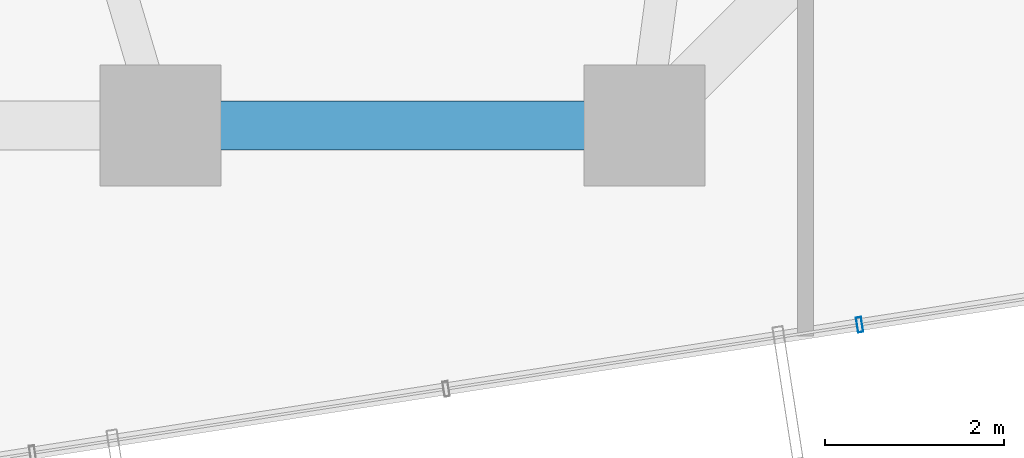
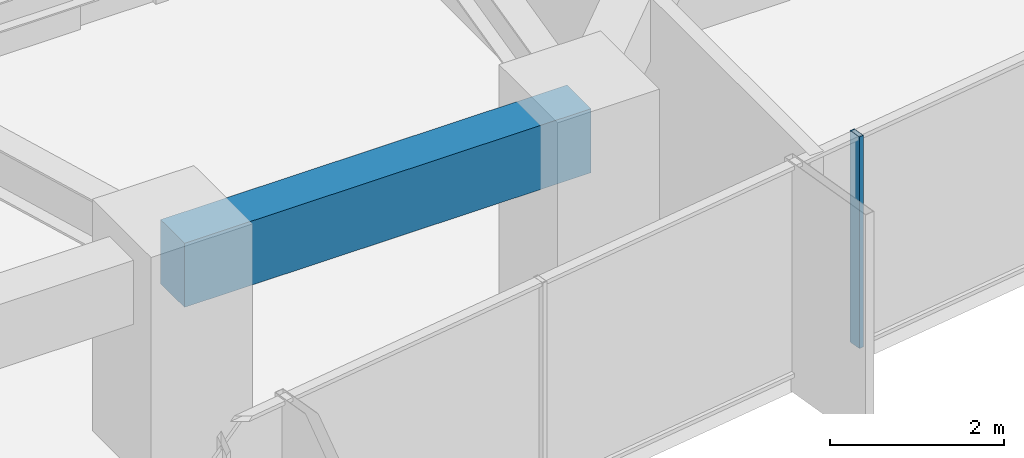
# One storey, part 8 of 37: 1 beam, 1 member, 1 element without a shape of its own.
"""IFC4 building model written with IfcOpenShell, lengths in metres."""

from ifc_helpers import new_model, si_unit, direction, frame, origin, origin_2d, place, context, subcontext, project, spatial, rectangle, hollow_rectangle, extrude, source, transform, mapped, material, layer, layer_set, material_profile, profile_set, type_object, element, aggregate, save


model = new_model("IFC4")

# Units and contexts
model_context = context("Model", 3, precision=1e-05, world=origin(), true_north=direction((0.0, 1.0)))
body_context = subcontext(model_context, "Body", "Model", "MODEL_VIEW")
ifc_project = project(units=[si_unit("LENGTHUNIT", "METRE"), si_unit("AREAUNIT", "SQUARE_METRE"), si_unit("VOLUMEUNIT", "CUBIC_METRE"), si_unit("PLANEANGLEUNIT", "RADIAN"), si_unit("MASSUNIT", "GRAM", prefix="KILO")], contexts=[model_context])

# Site, building, storey
site_placement = place(None, origin())
site = spatial("IfcSite", under=ifc_project, at=site_placement, CompositionType="ELEMENT")
building_placement = place(site_placement, origin())
building = spatial("IfcBuilding", under=site, at=building_placement, Name="Veraguas Prism Commons", CompositionType="ELEMENT")
storey_placement = place(building_placement, frame((0.0, 0.0, 53.300048828125)))
storey = spatial("IfcBuildingStorey", under=building, at=storey_placement, Name="L14", CompositionType="ELEMENT", Elevation=53.300048828125)

# Beam
ifc_material_1 = material(Name="Concrete C50/60", Category="concrete")
ifc_material_profile_1 = material_profile(ifc_material_1, rectangle(XDim=0.550048828125, YDim=0.89990234375, at=origin_2d()), Name="RC550X900")
ifc_profile_set_1 = profile_set([ifc_material_profile_1], Name="Concrete C50/60")
beam_type = type_object("IfcBeamType", Name="Perimeter Spandrel Lower RC 550x900", PredefinedType="SPANDREL", material=ifc_profile_set_1)
beam_placement = place(storey_placement, frame((24.0, 6.39990234375, 2.52001953125), z_axis=(1.0, 0.0, 0.0), x_axis=(0.0, 1.0, 0.0)))
element("IfcBeam", 1, at=beam_placement, inside=storey, type_object=beam_type, Name="Perimeter Spandrel Beam L14-SP11", PredefinedType="SPANDREL", context=body_context, shape_type="SweptSolid", body=[
    extrude(rectangle(XDim=0.550048828125, YDim=0.89990234375, at=origin_2d()), origin(), (0.0, 0.0, 1.0), 5.39990234375),
])

# Curtain wall, member
ifc_material_2 = material(Name="Anodised aluminium EN AW-6063 T6", Category="aluminium")
ifc_layer = layer(ifc_material_2, 0.169921875, Name="Unitised Flush Curtain Wall Zone 1", Category="aluminium")
ifc_layer_set = layer_set([ifc_layer], Name="Anodised aluminium EN AW-6063 T6")
curtain_wall_type = type_object("IfcCurtainWallType", Name="Unitised Flush Curtain Wall Zone 1", PredefinedType="NOTDEFINED", material=ifc_layer_set)
curtain_wall_placement = place(storey_placement, origin())
curtain_wall = element("IfcCurtainWall", 2, at=curtain_wall_placement, inside=storey, type_object=curtain_wall_type, Name="Tower Facade Curtain Wall L14-F5", PredefinedType="NOTDEFINED")
ifc_material_profile_2 = material_profile(ifc_material_2, hollow_rectangle(XDim=0.06005859375, YDim=0.169921875, WallThickness=0.00390625, at=origin_2d()), Name="AL60X170X4")
ifc_profile_set_2 = profile_set([ifc_material_profile_2], Name="Anodised aluminium EN AW-6063 T6")
member_type = type_object("IfcMemberType", Name="Curtain Wall Mullion Lower AL 60x170x4", PredefinedType="MULLION", material=ifc_profile_set_2)
shared_shape = source(origin(), body_context, "Body", "SweptSolid", [
    extrude(hollow_rectangle(XDim=0.06005859375, YDim=0.169921875, WallThickness=0.00390625, at=origin_2d()), origin(), (0.0, 0.0, 1.0), 2.969970703125),
])
member_placement = place(storey_placement, frame((31.802734375, 4.177490234375, 0.0), z_axis=(0.0, 0.0, 1.0), x_axis=(0.98817491911, 0.153330783737, 0.0)))
member = element("IfcMember", 3, at=member_placement, type_object=member_type, Name="CW-Z1 Mullion 4", PredefinedType="MULLION", context=body_context, shape_type="MappedRepresentation", body=[
    mapped(shared_shape, transform((0.0, 0.0, 0.0), scale=1.0)),
])
aggregate(curtain_wall, [member])

save(model, "model.ifc")
